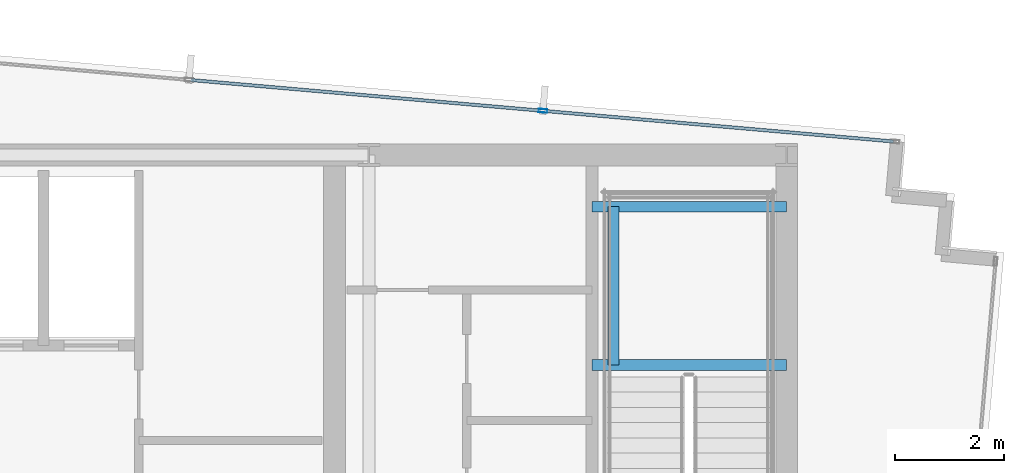
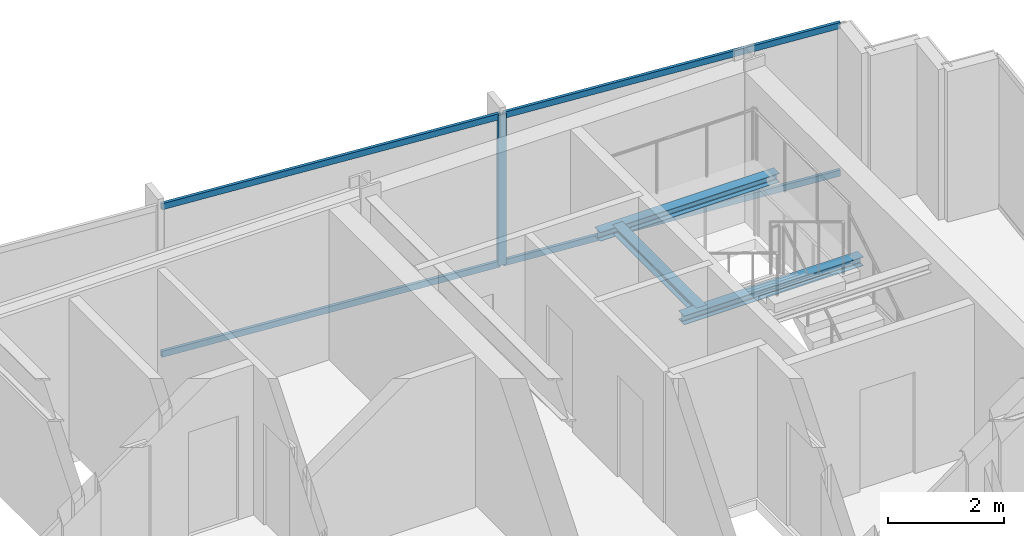
# One storey, part 20 of 32: 5 members, 3 beams, 1 element without a shape of its own.
"""IFC4 building model written with IfcOpenShell, lengths in metres."""

from ifc_helpers import new_model, si_unit, direction, frame, origin, origin_2d, place, context, subcontext, project, spatial, hollow_rectangle, i_section, extrude, material, material_profile, profile_set, type_object, element, aggregate, save


model = new_model("IFC4")

# Units and contexts
model_context = context("Model", 3, precision=1e-05, world=origin(), true_north=direction((0.0, 1.0)))
body_context = subcontext(model_context, "Body", "Model", "MODEL_VIEW")
ifc_project = project(units=[si_unit("LENGTHUNIT", "METRE"), si_unit("AREAUNIT", "SQUARE_METRE"), si_unit("VOLUMEUNIT", "CUBIC_METRE"), si_unit("PLANEANGLEUNIT", "RADIAN"), si_unit("MASSUNIT", "GRAM", prefix="KILO")], contexts=[model_context])

# Site, building, storey
site_placement = place(None, origin())
site = spatial("IfcSite", under=ifc_project, at=site_placement, CompositionType="ELEMENT")
building_placement = place(site_placement, origin())
building = spatial("IfcBuilding", under=site, at=building_placement, Name="Yelkora Congress Tower", CompositionType="ELEMENT")
storey_placement = place(building_placement, frame((0.0, 0.0, 279.5)))
storey = spatial("IfcBuildingStorey", under=building, at=storey_placement, Name="L78", CompositionType="ELEMENT", Elevation=279.5)

# Beams
ifc_material_1 = material(Name="Steel S355J2", Category="steel")
ifc_material_profile_1 = material_profile(ifc_material_1, i_section(OverallWidth=0.199951171875, OverallDepth=0.18994140625, WebThickness=0.006591796875, FlangeThickness=0.010009765625, FilletRadius=0.01806640625, at=origin_2d()), Name="HEA 200")
ifc_profile_set_1 = profile_set([ifc_material_profile_1], Name="Steel S355J2")
beam_type = type_object("IfcBeamType", Name="BM-LAND-HEA200", PredefinedType="BEAM", material=ifc_profile_set_1)
for number, where, z_axis, x_axis, name in (
    (1, (50.179931640625, 42.340087890625, 1.384521484375), (1.0, 0.0, 0.0), (0.0, 1.0, 0.0), "ST-02 L78 Landing Header Beam 1S"),
    (2, (50.179931640625, 45.25, 1.384521484375), (1.0, 0.0, 0.0), (0.0, 1.0, 0.0), "ST-02 L78 Landing Header Beam 1N"),
):
    element("IfcBeam", number, at=place(storey_placement, frame(where, z_axis=z_axis, x_axis=x_axis)), inside=storey, type_object=beam_type, Name=name, PredefinedType="BEAM", context=body_context, shape_type="SweptSolid", body=[
        extrude(i_section(OverallWidth=0.199951171875, OverallDepth=0.18994140625, WebThickness=0.006591796875, FlangeThickness=0.010009765625, FilletRadius=0.01806640625, at=origin_2d()), origin(), (0.0, 0.0, 1.0), 3.580078125),
    ])
beam_placement = place(storey_placement, frame((50.580078125, 42.340087890625, 1.384521484375), z_axis=(0.0, 1.0, 0.0), x_axis=(-1.0, 0.0, 0.0)))
element("IfcBeam", 3, at=beam_placement, inside=storey, type_object=beam_type, Name="ST-02 L78 Landing Trimmer Beam 1M", PredefinedType="BEAM", context=body_context, shape_type="SweptSolid", body=[
    extrude(i_section(OverallWidth=0.199951171875, OverallDepth=0.18994140625, WebThickness=0.006591796875, FlangeThickness=0.010009765625, FilletRadius=0.01806640625, at=origin_2d()), origin(), (0.0, 0.0, 1.0), 2.909912109375),
])

# Curtain wall, members
ifc_material_2 = material(Name="Anodised aluminium and insulated glass", Category="aluminium")
curtain_wall_type = type_object("IfcCurtainWallType", Name="CW-SYS-B5", PredefinedType="NOTDEFINED", material=ifc_material_2)
curtain_wall_placement = place(storey_placement, origin())
curtain_wall = element("IfcCurtainWall", 4, at=curtain_wall_placement, inside=storey, type_object=curtain_wall_type, Name="L78 Unitised Curtain Wall 10", PredefinedType="NOTDEFINED")
ifc_material_3 = material(Name="Anodised aluminium 6063-T6", Category="aluminium")
ifc_material_profile_2 = material_profile(ifc_material_3, hollow_rectangle(XDim=0.06494140625, YDim=0.159912109375, WallThickness=0.00390625, at=origin_2d()), Name="ALU 65x160x4")
ifc_profile_set_2 = profile_set([ifc_material_profile_2], Name="Anodised aluminium 6063-T6")
member_type_1 = type_object("IfcMemberType", Name="MEM-ML-B5", PredefinedType="MULLION", material=ifc_profile_set_2)
member_1_placement = place(storey_placement, frame((49.279541015625, 47.01220703125, 0.0), z_axis=(0.0, 0.0, 1.0), x_axis=(0.087156639893, 0.996194619601, 0.0)))
member_1 = element("IfcMember", 5, at=member_1_placement, type_object=member_type_1, Name="CW-B5 mullion 7", PredefinedType="MULLION", context=body_context, shape_type="SweptSolid", body=[
    extrude(hollow_rectangle(XDim=0.06494140625, YDim=0.159912109375, WallThickness=0.00390625, at=origin_2d()), origin(), (0.0, 0.0, 1.0), 3.179931640625),
])
ifc_material_profile_3 = material_profile(ifc_material_3, hollow_rectangle(XDim=0.06005859375, YDim=0.1298828125, WallThickness=0.00390625, at=origin_2d()), Name="ALU 60x130x4")
ifc_profile_set_3 = profile_set([ifc_material_profile_3], Name="Anodised aluminium 6063-T6")
member_type_2 = type_object("IfcMemberType", Name="MEM-TR-B5", PredefinedType="USERDEFINED", material=ifc_profile_set_3)
member_2_placement = place(storey_placement, frame((42.80517578125, 47.57861328125, 0.030029296875), z_axis=(0.996196257862, -0.087137912649, 0.0), x_axis=(0.087137912649, 0.996196257862, 0.0)))
member_2 = element("IfcMember", 6, at=member_2_placement, type_object=member_type_2, Name="CW-B5 transom 6.1", ObjectType="TRANSOM", PredefinedType="USERDEFINED", context=body_context, shape_type="SweptSolid", body=[
    extrude(hollow_rectangle(XDim=0.06005859375, YDim=0.1298828125, WallThickness=0.00390625, at=origin_2d()), origin(), (0.0, 0.0, 1.0), 6.466552734375),
])
member_3_placement = place(storey_placement, frame((42.80517578125, 47.57861328125, 3.14990234375), z_axis=(0.996196257862, -0.087137912649, 0.0), x_axis=(0.087137912649, 0.996196257862, 0.0)))
member_3 = element("IfcMember", 7, at=member_3_placement, type_object=member_type_2, Name="CW-B5 transom 6.2", ObjectType="TRANSOM", PredefinedType="USERDEFINED", context=body_context, shape_type="SweptSolid", body=[
    extrude(hollow_rectangle(XDim=0.06005859375, YDim=0.1298828125, WallThickness=0.00390625, at=origin_2d()), origin(), (0.0, 0.0, 1.0), 6.466552734375),
])
member_4_placement = place(storey_placement, frame((49.311767578125, 47.009521484375, 0.030029296875), z_axis=(0.996194170551, -0.08716177236, 0.0), x_axis=(0.08716177236, 0.996194170551, 0.0)))
member_4 = element("IfcMember", 8, at=member_4_placement, type_object=member_type_2, Name="CW-B5 transom 7.1", ObjectType="TRANSOM", PredefinedType="USERDEFINED", context=body_context, shape_type="SweptSolid", body=[
    extrude(hollow_rectangle(XDim=0.06005859375, YDim=0.1298828125, WallThickness=0.00390625, at=origin_2d()), origin(), (0.0, 0.0, 1.0), 6.433837890625),
])
member_5_placement = place(storey_placement, frame((49.311767578125, 47.009521484375, 3.14990234375), z_axis=(0.996194170551, -0.08716177236, 0.0), x_axis=(0.08716177236, 0.996194170551, 0.0)))
member_5 = element("IfcMember", 9, at=member_5_placement, type_object=member_type_2, Name="CW-B5 transom 7.2", ObjectType="TRANSOM", PredefinedType="USERDEFINED", context=body_context, shape_type="SweptSolid", body=[
    extrude(hollow_rectangle(XDim=0.06005859375, YDim=0.1298828125, WallThickness=0.00390625, at=origin_2d()), origin(), (0.0, 0.0, 1.0), 6.433837890625),
])
aggregate(curtain_wall, [member_1, member_2, member_3, member_4, member_5])

save(model, "model.ifc")
